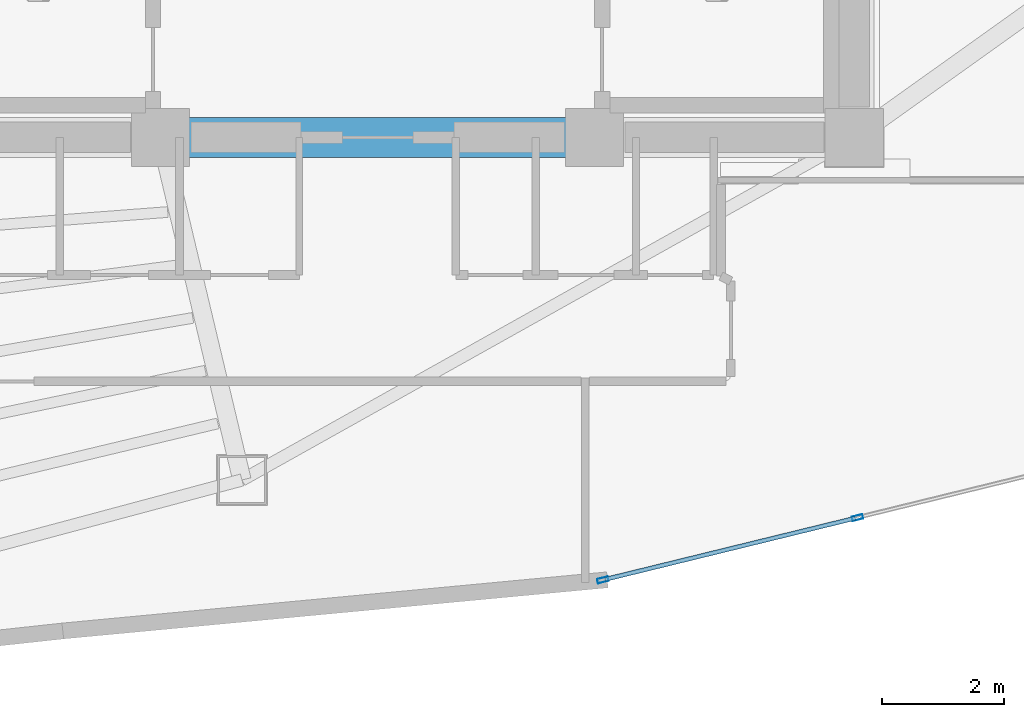
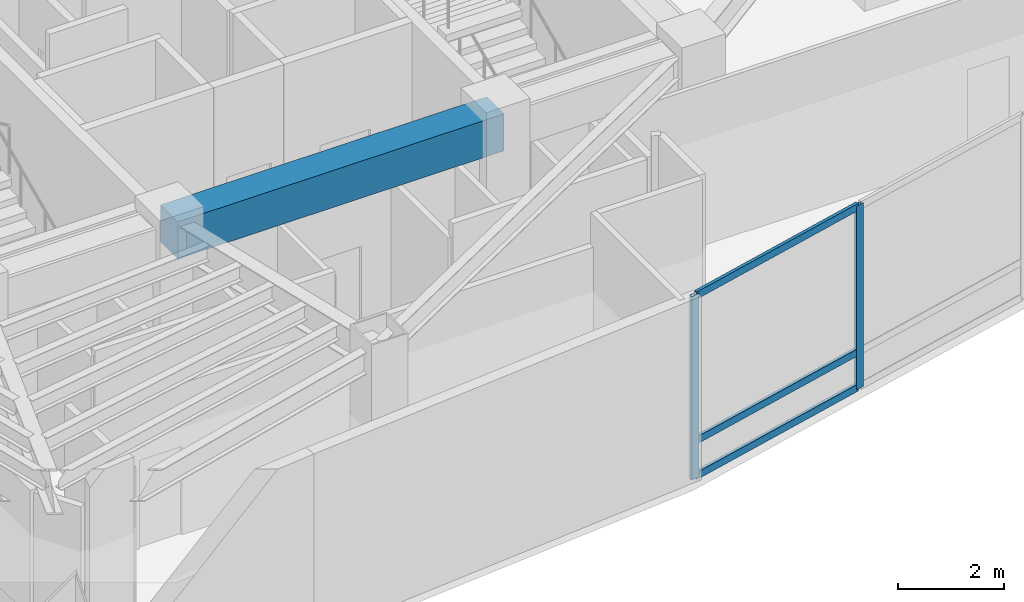
# One storey, part 4 of 17: 5 members, 1 beam, 1 element without a shape of its own.
"""IFC4 building model written with IfcOpenShell, lengths in metres."""

from ifc_helpers import new_model, si_unit, direction, frame, origin, origin_2d, place, context, subcontext, project, spatial, rectangle, hollow_rectangle, extrude, material, layer, layer_set, material_profile, profile_set, type_object, element, aggregate, save


model = new_model("IFC4")

# Units and contexts
model_context = context("Model", 3, precision=1e-05, world=origin(), true_north=direction((0.0, 1.0)))
body_context = subcontext(model_context, "Body", "Model", "MODEL_VIEW")
ifc_project = project(units=[si_unit("LENGTHUNIT", "METRE"), si_unit("AREAUNIT", "SQUARE_METRE"), si_unit("VOLUMEUNIT", "CUBIC_METRE"), si_unit("PLANEANGLEUNIT", "RADIAN"), si_unit("MASSUNIT", "GRAM", prefix="KILO")], contexts=[model_context])

# Site, building, storey
site_placement = place(None, origin())
site = spatial("IfcSite", under=ifc_project, at=site_placement, CompositionType="ELEMENT")
building_placement = place(site_placement, origin())
building = spatial("IfcBuilding", under=site, at=building_placement, Name="Menara Vayukalpa", CompositionType="ELEMENT")
storey_placement = place(building_placement, frame((0.0, 0.0, 238.139892578125)))
storey = spatial("IfcBuildingStorey", under=building, at=storey_placement, Name="L60", CompositionType="ELEMENT", Elevation=238.139892578125)

# Beam
ifc_material_1 = material(Name="Concrete C60/75", Category="concrete")
ifc_material_profile_1 = material_profile(ifc_material_1, rectangle(XDim=0.64990234375, YDim=0.85009765625, at=origin_2d()), Name="RC 650x850")
ifc_profile_set_1 = profile_set([ifc_material_profile_1], Name="Concrete C60/75")
beam_type = type_object("IfcBeamType", Name="BM-CB1", PredefinedType="BEAM", material=ifc_profile_set_1)
beam_placement = place(storey_placement, frame((22.050048828125, 17.199951171875, 3.795166015625), z_axis=(1.0, 0.0, 0.0), x_axis=(0.0, 1.0, 0.0)))
element("IfcBeam", 1, at=beam_placement, inside=storey, type_object=beam_type, Name="L60 Core Tie Beam CBR2", PredefinedType="BEAM", context=body_context, shape_type="SweptSolid", body=[
    extrude(rectangle(XDim=0.64990234375, YDim=0.85009765625, at=origin_2d()), origin(), (0.0, 0.0, 1.0), 7.099853515625),
])

# Curtain wall, members
ifc_material_2 = material(Name="Anodised Terracotta Aluminium Alloy 6063-T6", Category="masonry")
ifc_layer = layer(ifc_material_2, 0.179931640625)
ifc_layer_set = layer_set([ifc_layer], Name="Anodised Terracotta Aluminium Alloy 6063-T6")
curtain_wall_type = type_object("IfcCurtainWallType", Name="CW-CW4", PredefinedType="USERDEFINED", material=ifc_layer_set)
curtain_wall_placement = place(storey_placement, origin())
curtain_wall = element("IfcCurtainWall", 2, at=curtain_wall_placement, inside=storey, type_object=curtain_wall_type, Name="L60 Sky Bar Cantilever Glazed Curtain Wall CW4 16", ObjectType="UNITISED", PredefinedType="USERDEFINED")
ifc_material_3 = material(Name="Anodised Terracotta Aluminium Alloy 6063-T6", Category="masonry")
ifc_material_profile_2 = material_profile(ifc_material_3, hollow_rectangle(XDim=0.074951171875, YDim=0.179931640625, WallThickness=0.00390625, at=origin_2d()), Name="ALU 75x180x4")
ifc_profile_set_2 = profile_set([ifc_material_profile_2], Name="Anodised Terracotta Aluminium Alloy 6063-T6")
member_type_1 = type_object("IfcMemberType", Name="CWM-CW4", PredefinedType="MULLION", material=ifc_profile_set_2)
member_1_placement = place(storey_placement, frame((29.287109375, 9.958984375, 0.0), z_axis=(0.0, 0.0, 1.0), x_axis=(-0.237809768652, 0.971311749097, 0.0)))
member_1 = element("IfcMember", 3, at=member_1_placement, type_object=member_type_1, Name="CW4 mullion 1", PredefinedType="MULLION", context=body_context, shape_type="SweptSolid", body=[
    extrude(hollow_rectangle(XDim=0.074951171875, YDim=0.179931640625, WallThickness=0.00390625, at=origin_2d()), origin(), (0.0, 0.0, 1.0), 4.22021484375),
])
member_2_placement = place(storey_placement, frame((33.453369140625, 10.97900390625, 0.0), z_axis=(0.0, 0.0, 1.0), x_axis=(-0.237809768652, 0.971311749097, 0.0)))
member_2 = element("IfcMember", 4, at=member_2_placement, type_object=member_type_1, Name="CW4 mullion 2", PredefinedType="MULLION", context=body_context, shape_type="SweptSolid", body=[
    extrude(hollow_rectangle(XDim=0.074951171875, YDim=0.179931640625, WallThickness=0.00390625, at=origin_2d()), origin(), (0.0, 0.0, 1.0), 4.22021484375),
])
ifc_material_4 = material(Name="Anodised Terracotta Aluminium Alloy 6063-T6", Category="masonry")
ifc_material_profile_3 = material_profile(ifc_material_4, hollow_rectangle(XDim=0.070068359375, YDim=0.1650390625, WallThickness=0.00390625, at=origin_2d()), Name="ALU 70x165x4")
ifc_profile_set_3 = profile_set([ifc_material_profile_3], Name="Anodised Terracotta Aluminium Alloy 6063-T6")
member_type_2 = type_object("IfcMemberType", Name="CWT-CW4", PredefinedType="USERDEFINED", material=ifc_profile_set_3)
member_3_placement = place(storey_placement, frame((29.323486328125, 9.968017578125, 0.03515625), z_axis=(0.971313425115, 0.237802923009, 0.0), x_axis=(-0.237802923009, 0.971313425115, 0.0)))
member_3 = element("IfcMember", 5, at=member_3_placement, type_object=member_type_2, Name="CW4 transom 1.1", ObjectType="TRANSOM", PredefinedType="USERDEFINED", context=body_context, shape_type="SweptSolid", body=[
    extrude(hollow_rectangle(XDim=0.070068359375, YDim=0.1650390625, WallThickness=0.00390625, at=origin_2d()), origin(), (0.0, 0.0, 1.0), 4.21435546875),
])
member_4_placement = place(storey_placement, frame((29.323486328125, 9.968017578125, 0.85009765625), z_axis=(0.971313425115, 0.237802923009, 0.0), x_axis=(-0.237802923009, 0.971313425115, 0.0)))
member_4 = element("IfcMember", 6, at=member_4_placement, type_object=member_type_2, Name="CW4 transom 1.2", ObjectType="TRANSOM", PredefinedType="USERDEFINED", context=body_context, shape_type="SweptSolid", body=[
    extrude(hollow_rectangle(XDim=0.070068359375, YDim=0.1650390625, WallThickness=0.00390625, at=origin_2d()), origin(), (0.0, 0.0, 1.0), 4.21435546875),
])
member_5_placement = place(storey_placement, frame((29.323486328125, 9.968017578125, 4.18505859375), z_axis=(0.971313425115, 0.237802923009, 0.0), x_axis=(-0.237802923009, 0.971313425115, 0.0)))
member_5 = element("IfcMember", 7, at=member_5_placement, type_object=member_type_2, Name="CW4 transom 1.3", ObjectType="TRANSOM", PredefinedType="USERDEFINED", context=body_context, shape_type="SweptSolid", body=[
    extrude(hollow_rectangle(XDim=0.070068359375, YDim=0.1650390625, WallThickness=0.00390625, at=origin_2d()), origin(), (0.0, 0.0, 1.0), 4.21435546875),
])
aggregate(curtain_wall, [member_1, member_2, member_3, member_4, member_5])

save(model, "model.ifc")
